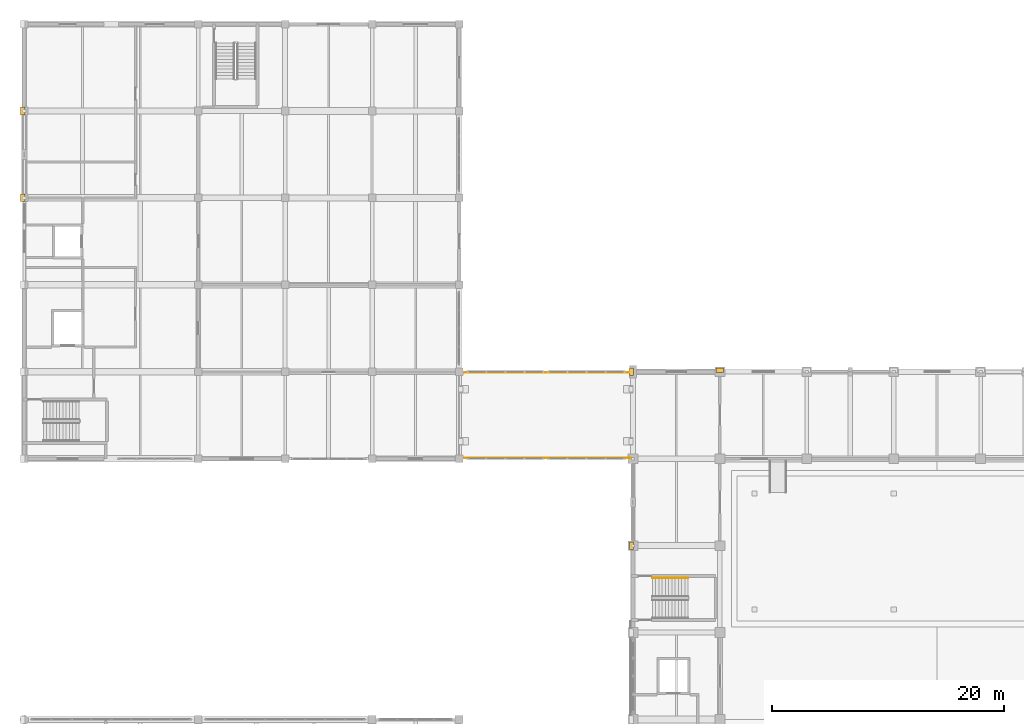
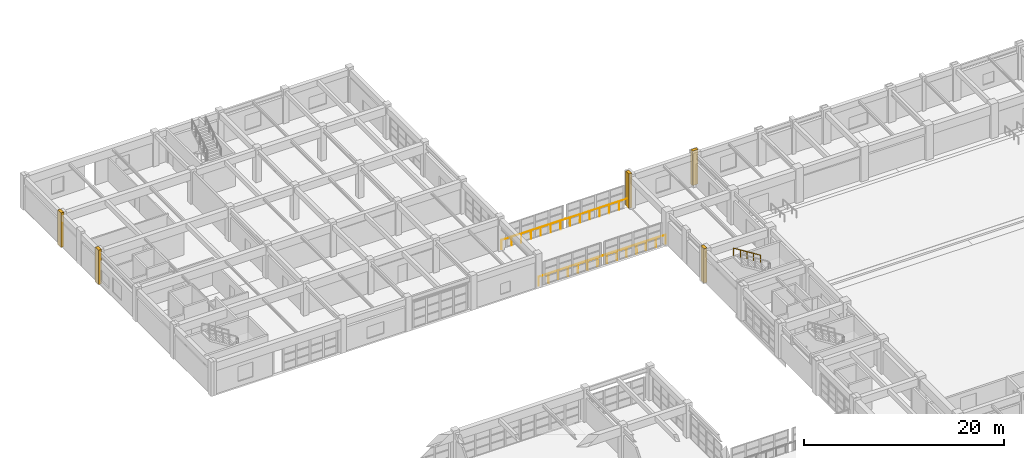
# One storey, part 125 of 132: 5 coverings, 3 railings.
"""IFC4 building model written with IfcOpenShell, lengths in metres."""

from ifc_helpers import new_model, si_unit, direction, frame, origin, origin_2d, place, context, subcontext, project, spatial, rectangle, circle, extrude, material, layer, layer_set, type_object, element, save


model = new_model("IFC4")

# Units and contexts
model_context = context("Model", 3, precision=1e-05, world=origin(), true_north=direction((0.0, 1.0)))
body_context = subcontext(model_context, "Body", "Model", "MODEL_VIEW")
ifc_project = project(units=[si_unit("LENGTHUNIT", "METRE"), si_unit("AREAUNIT", "SQUARE_METRE"), si_unit("VOLUMEUNIT", "CUBIC_METRE"), si_unit("PLANEANGLEUNIT", "RADIAN"), si_unit("MASSUNIT", "GRAM", prefix="KILO")], contexts=[model_context])

# Site, building, storey
site_placement = place(None, origin())
site = spatial("IfcSite", under=ifc_project, at=site_placement, CompositionType="ELEMENT")
building_placement = place(site_placement, origin())
building = spatial("IfcBuilding", under=site, at=building_placement, Name="Qasida Concert Hall", CompositionType="ELEMENT")
storey_placement = place(building_placement, frame((0.0, 0.0, 4.800048828125)))
storey = spatial("IfcBuildingStorey", under=building, at=storey_placement, Name="L01", CompositionType="ELEMENT", Elevation=4.800048828125)

# Coverings
ifc_material_1 = material(Name="Projecting fluted Lebanese limestone Art Deco pilaster", Category="masonry")
ifc_layer_1 = layer(ifc_material_1, 0.35009765625, Name="Projecting fluted Lebanese limestone Art Deco pilaster")
ifc_layer_set_1 = layer_set([ifc_layer_1], Name="Projecting fluted Lebanese limestone Art Deco pilaster")
covering_type = type_object("IfcCoveringType", Name="CV-PIL-650", PredefinedType="CLADDING", material=ifc_layer_set_1)
for number, where, z_axis, x_axis, name in (
    (1, (52.364990234375, 67.5, 0.0), (0.0, 0.0, 1.0), (1.0, 0.0, 0.0), "L01 fluted limestone pilaster 0072"),
    (2, (52.364990234375, 82.5, 0.0), (0.0, 0.0, 1.0), (1.0, 0.0, 0.0), "L01 fluted limestone pilaster 0086"),
):
    element("IfcCovering", number, at=place(storey_placement, frame(where, z_axis=z_axis, x_axis=x_axis)), inside=storey, type_object=covering_type, Name=name, PredefinedType="CLADDING", context=body_context, shape_type="SweptSolid", body=[
        extrude(rectangle(XDim=0.35009765625, YDim=0.64990234375, at=origin_2d()), origin(), (0.0, 0.0, 1.0), 4.199951171875),
    ])
covering_placement = place(storey_placement, frame((60.0, 82.635009765625, 0.0), z_axis=(0.0, 0.0, 1.0), x_axis=(1.0, 0.0, 0.0)))
element("IfcCovering", 3, at=covering_placement, inside=storey, type_object=covering_type, Name="L01 fluted limestone pilaster 0100", PredefinedType="CLADDING", context=body_context, shape_type="SweptSolid", body=[
    extrude(rectangle(XDim=0.64990234375, YDim=0.35009765625, at=origin_2d()), origin(), (0.0, 0.0, 1.0), 4.199951171875),
])
for number, where, z_axis, x_axis, name in (
    (4, (-0.135009765625, 97.5, 0.0), (0.0, 0.0, 1.0), (1.0, 0.0, 0.0), "L01 fluted limestone pilaster 0287"),
    (5, (-0.135009765625, 105.0, 0.0), (0.0, 0.0, 1.0), (1.0, 0.0, 0.0), "L01 fluted limestone pilaster 0294"),
):
    element("IfcCovering", number, at=place(storey_placement, frame(where, z_axis=z_axis, x_axis=x_axis)), inside=storey, type_object=covering_type, Name=name, PredefinedType="CLADDING", context=body_context, shape_type="SweptSolid", body=[
        extrude(rectangle(XDim=0.35009765625, YDim=0.64990234375, at=origin_2d()), origin(), (0.0, 0.0, 1.0), 4.199951171875),
    ])

# Railings
ifc_material_2 = material(Name="Patinated architectural bronze and laminated glass infill", Category="glass")
ifc_layer_2 = layer(ifc_material_2, 0.080078125, Name="Patinated architectural bronze and laminated glass infill")
ifc_layer_set_2 = layer_set([ifc_layer_2], Name="Patinated architectural bronze and laminated glass infill")
railing_type_1 = type_object("IfcRailingType", Name="RL-GRD-1100", PredefinedType="GUARDRAIL", material=ifc_layer_set_2)
railing_1_placement = place(storey_placement, frame((37.679931640625, 75.050048828125, 0.0)))
element("IfcRailing", 6, at=railing_1_placement, inside=storey, type_object=railing_type_1, Name="L01 Artist bridge south guard 0030", PredefinedType="GUARDRAIL", context=body_context, shape_type="SweptSolid", body=[
    extrude(circle(Radius=0.02392578125, at=origin_2d()), frame((0.0, 0.0, 1.09619140625), z_axis=(1.0, 0.0, 0.0), x_axis=(0.0, 1.0, 0.0)), (0.0, 0.0, 1.0), 14.64013671875),
    extrude(circle(Radius=0.02099609375, at=origin_2d()), origin(), (0.0, 0.0, 1.0), 1.072021484375),
    extrude(circle(Radius=0.02099609375, at=origin_2d()), frame((1.126220703125, 0.0, 0.0)), (0.0, 0.0, 1.0), 1.072021484375),
    extrude(circle(Radius=0.02099609375, at=origin_2d()), frame((2.25244140625, 0.0, 0.0)), (0.0, 0.0, 1.0), 1.072021484375),
    extrude(circle(Radius=0.02099609375, at=origin_2d()), frame((3.37841796875, 0.0, 0.0)), (0.0, 0.0, 1.0), 1.072021484375),
    extrude(circle(Radius=0.02099609375, at=origin_2d()), frame((4.504638671875, 0.0, 0.0)), (0.0, 0.0, 1.0), 1.072021484375),
    extrude(circle(Radius=0.02099609375, at=origin_2d()), frame((5.630859375, 0.0, 0.0)), (0.0, 0.0, 1.0), 1.072021484375),
    extrude(circle(Radius=0.02099609375, at=origin_2d()), frame((6.757080078125, 0.0, 0.0)), (0.0, 0.0, 1.0), 1.072021484375),
    extrude(circle(Radius=0.02099609375, at=origin_2d()), frame((7.883056640625, 0.0, 0.0)), (0.0, 0.0, 1.0), 1.072021484375),
    extrude(circle(Radius=0.02099609375, at=origin_2d()), frame((9.00927734375, 0.0, 0.0)), (0.0, 0.0, 1.0), 1.072021484375),
    extrude(circle(Radius=0.02099609375, at=origin_2d()), frame((10.135498046875, 0.0, 0.0)), (0.0, 0.0, 1.0), 1.072021484375),
    extrude(circle(Radius=0.02099609375, at=origin_2d()), frame((11.26171875, 0.0, 0.0)), (0.0, 0.0, 1.0), 1.072021484375),
    extrude(circle(Radius=0.02099609375, at=origin_2d()), frame((12.3876953125, 0.0, 0.0)), (0.0, 0.0, 1.0), 1.072021484375),
    extrude(circle(Radius=0.02099609375, at=origin_2d()), frame((13.513916015625, 0.0, 0.0)), (0.0, 0.0, 1.0), 1.072021484375),
    extrude(circle(Radius=0.02099609375, at=origin_2d()), frame((14.64013671875, 0.0, 0.0)), (0.0, 0.0, 1.0), 1.072021484375),
])
railing_2_placement = place(storey_placement, frame((37.679931640625, 82.449951171875, 0.0)))
element("IfcRailing", 7, at=railing_2_placement, inside=storey, type_object=railing_type_1, Name="L01 Artist bridge north guard 0031", PredefinedType="GUARDRAIL", context=body_context, shape_type="SweptSolid", body=[
    extrude(circle(Radius=0.02392578125, at=origin_2d()), frame((0.0, 0.0, 1.09619140625), z_axis=(1.0, 0.0, 0.0), x_axis=(0.0, 1.0, 0.0)), (0.0, 0.0, 1.0), 14.64013671875),
    extrude(circle(Radius=0.02099609375, at=origin_2d()), origin(), (0.0, 0.0, 1.0), 1.072021484375),
    extrude(circle(Radius=0.02099609375, at=origin_2d()), frame((1.126220703125, 0.0, 0.0)), (0.0, 0.0, 1.0), 1.072021484375),
    extrude(circle(Radius=0.02099609375, at=origin_2d()), frame((2.25244140625, 0.0, 0.0)), (0.0, 0.0, 1.0), 1.072021484375),
    extrude(circle(Radius=0.02099609375, at=origin_2d()), frame((3.37841796875, 0.0, 0.0)), (0.0, 0.0, 1.0), 1.072021484375),
    extrude(circle(Radius=0.02099609375, at=origin_2d()), frame((4.504638671875, 0.0, 0.0)), (0.0, 0.0, 1.0), 1.072021484375),
    extrude(circle(Radius=0.02099609375, at=origin_2d()), frame((5.630859375, 0.0, 0.0)), (0.0, 0.0, 1.0), 1.072021484375),
    extrude(circle(Radius=0.02099609375, at=origin_2d()), frame((6.757080078125, 0.0, 0.0)), (0.0, 0.0, 1.0), 1.072021484375),
    extrude(circle(Radius=0.02099609375, at=origin_2d()), frame((7.883056640625, 0.0, 0.0)), (0.0, 0.0, 1.0), 1.072021484375),
    extrude(circle(Radius=0.02099609375, at=origin_2d()), frame((9.00927734375, 0.0, 0.0)), (0.0, 0.0, 1.0), 1.072021484375),
    extrude(circle(Radius=0.02099609375, at=origin_2d()), frame((10.135498046875, 0.0, 0.0)), (0.0, 0.0, 1.0), 1.072021484375),
    extrude(circle(Radius=0.02099609375, at=origin_2d()), frame((11.26171875, 0.0, 0.0)), (0.0, 0.0, 1.0), 1.072021484375),
    extrude(circle(Radius=0.02099609375, at=origin_2d()), frame((12.3876953125, 0.0, 0.0)), (0.0, 0.0, 1.0), 1.072021484375),
    extrude(circle(Radius=0.02099609375, at=origin_2d()), frame((13.513916015625, 0.0, 0.0)), (0.0, 0.0, 1.0), 1.072021484375),
    extrude(circle(Radius=0.02099609375, at=origin_2d()), frame((14.64013671875, 0.0, 0.0)), (0.0, 0.0, 1.0), 1.072021484375),
])
ifc_material_3 = material(Name="Patinated tubular architectural bronze", Category="steel")
ifc_layer_3 = layer(ifc_material_3, 0.050048828125, Name="Patinated tubular architectural bronze")
ifc_layer_set_3 = layer_set([ifc_layer_3], Name="Patinated tubular architectural bronze")
railing_type_2 = type_object("IfcRailingType", Name="RL-HND-900", PredefinedType="HANDRAIL", material=ifc_layer_set_3)
railing_3_placement = place(storey_placement, frame((57.260009765625, 64.7099609375, 2.27490234375)))
element("IfcRailing", 8, at=railing_3_placement, inside=storey, type_object=railing_type_2, Name="L01 ST-11 stair handrail 2", PredefinedType="HANDRAIL", context=body_context, shape_type="SweptSolid", body=[
    extrude(circle(Radius=0.02392578125, at=origin_2d()), frame((0.0, 0.0, 0.8759765625), z_axis=(-0.847998304005, 0.0, 0.529998940003), x_axis=(0.0, -1.0, 0.0)), (0.0, 0.0, 1.0), 3.632080078125),
    extrude(circle(Radius=0.02099609375, at=origin_2d()), origin(), (0.0, 0.0, 1.0), 0.851806640625),
    extrude(circle(Radius=0.02099609375, at=origin_2d()), frame((-0.77001953125, 0.0, 0.481201171875)), (0.0, 0.0, 1.0), 0.851806640625),
    extrude(circle(Radius=0.02099609375, at=origin_2d()), frame((-1.5400390625, 0.0, 0.96240234375)), (0.0, 0.0, 1.0), 0.851806640625),
    extrude(circle(Radius=0.02099609375, at=origin_2d()), frame((-2.31005859375, 0.0, 1.44384765625)), (0.0, 0.0, 1.0), 0.851806640625),
    extrude(circle(Radius=0.02099609375, at=origin_2d()), frame((-3.080078125, 0.0, 1.925048828125)), (0.0, 0.0, 1.0), 0.851806640625),
])

save(model, "model.ifc")
